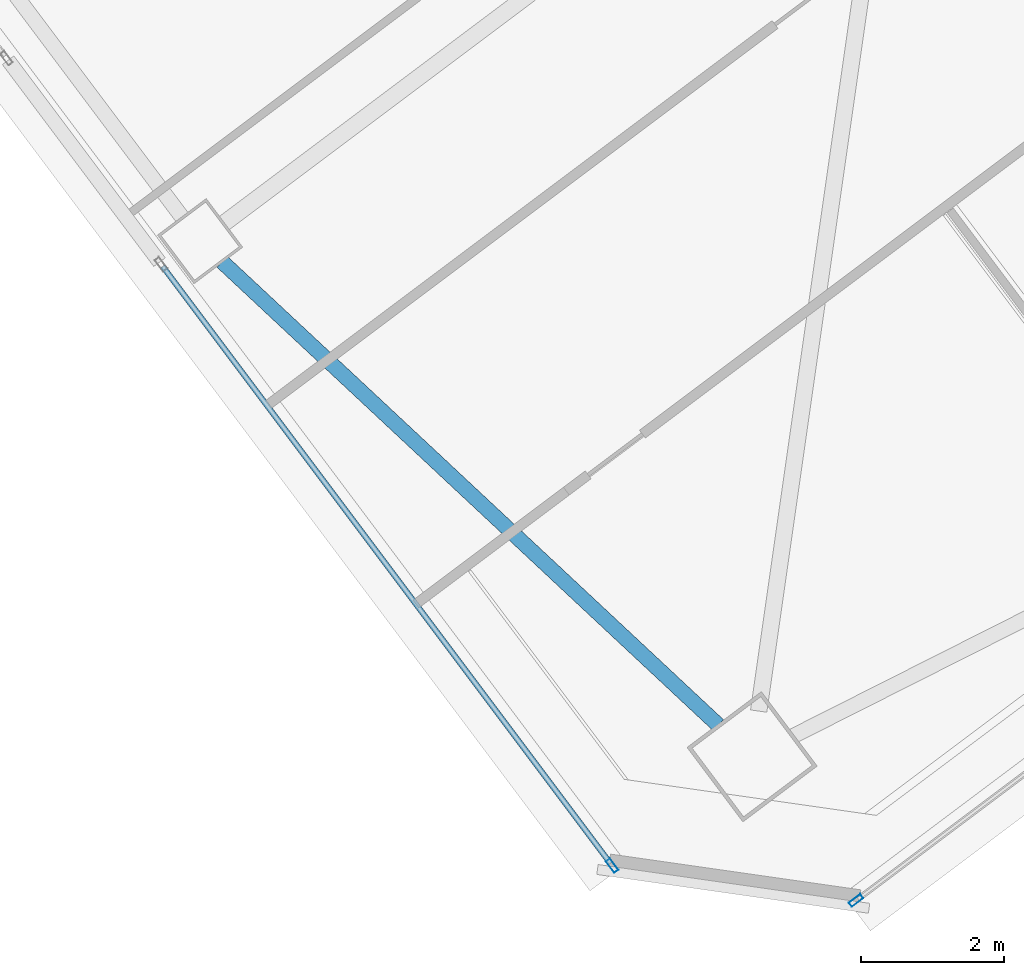
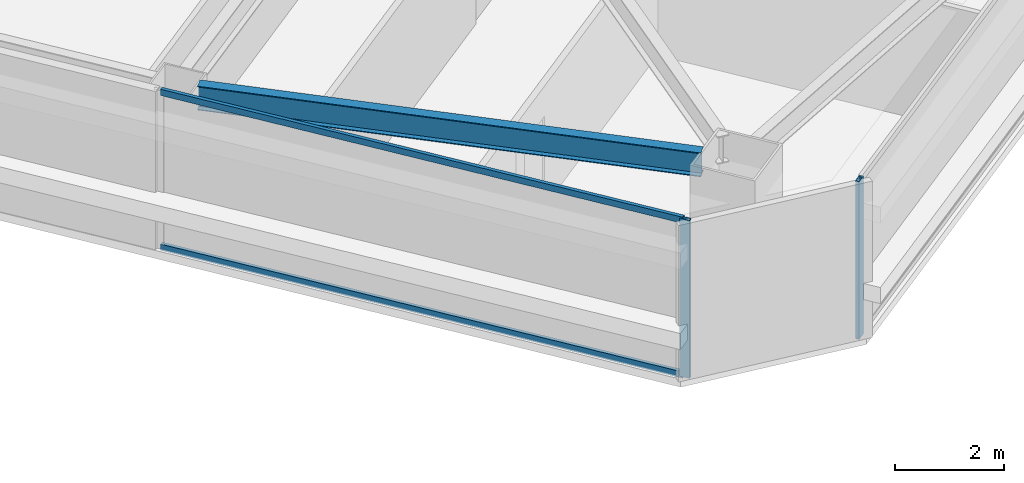
# One storey, part 18 of 42: 4 members, 1 beam, 2 elements without a shape of their own.
"""IFC4 building model written with IfcOpenShell, lengths in metres."""

from ifc_helpers import new_model, si_unit, direction, frame, origin, origin_2d, place, context, subcontext, project, spatial, hollow_rectangle, i_section, extrude, material, material_profile, profile_set, type_object, element, aggregate, save


model = new_model("IFC4")

# Units and contexts
model_context = context("Model", 3, precision=1e-05, world=origin(), true_north=direction((0.0, 1.0)))
body_context = subcontext(model_context, "Body", "Model", "MODEL_VIEW")
ifc_project = project(units=[si_unit("LENGTHUNIT", "METRE"), si_unit("AREAUNIT", "SQUARE_METRE"), si_unit("VOLUMEUNIT", "CUBIC_METRE"), si_unit("PLANEANGLEUNIT", "RADIAN"), si_unit("MASSUNIT", "GRAM", prefix="KILO")], contexts=[model_context])

# Site, building, storey
site_placement = place(None, origin())
site = spatial("IfcSite", under=ifc_project, at=site_placement, CompositionType="ELEMENT")
building_placement = place(site_placement, origin())
building = spatial("IfcBuilding", under=site, at=building_placement, Name="Tashvorn Skyway Center", CompositionType="ELEMENT")
storey_placement = place(building_placement, frame((0.0, 0.0, 121.5)))
storey = spatial("IfcBuildingStorey", under=building, at=storey_placement, Name="L32", CompositionType="ELEMENT", Elevation=121.5)

# Beam
ifc_material_1 = material(Name="Steel ASTM A992 Grade 50", Category="steel")
ifc_material_profile_1 = material_profile(ifc_material_1, i_section(OverallWidth=0.2109375, OverallDepth=0.5390625, WebThickness=0.01171875, FlangeThickness=0.018798828125, at=origin_2d()), Name="W21X73")
ifc_profile_set_1 = profile_set([ifc_material_profile_1], Name="Steel ASTM A992 Grade 50")
beam_type = type_object("IfcBeamType", Name="BM-SPANDREL-W21X73", PredefinedType="SPANDREL", material=ifc_profile_set_1)
beam_placement = place(storey_placement, frame((103.427001953125, 16.80322265625, 3.1005859375), z_axis=(0.730843250868, -0.682545341102, 0.0), x_axis=(0.682545341102, 0.730843250868, 0.0)))
element("IfcBeam", 1, at=beam_placement, inside=storey, type_object=beam_type, Name="Tower 2 L32 Spandrel Beam 12", PredefinedType="SPANDREL", context=body_context, shape_type="SweptSolid", body=[
    extrude(i_section(OverallWidth=0.2109375, OverallDepth=0.5390625, WebThickness=0.01171875, FlangeThickness=0.018798828125, at=origin_2d()), origin(), (0.0, 0.0, 1.0), 9.498046875),
])

# Curtain wall, member
ifc_material_2 = material(Name="Thermally broken bronze-anodized aluminium 6063-T6", Category="aluminium")
curtain_wall_type = type_object("IfcCurtainWallType", Name="CW-CW-Z3", PredefinedType="NOTDEFINED", material=ifc_material_2)
curtain_wall_1_placement = place(storey_placement, origin())
curtain_wall_1 = element("IfcCurtainWall", 2, at=curtain_wall_1_placement, inside=storey, type_object=curtain_wall_type, Name="Tower 2 L32 South Unitised Curtain Wall Glazing Group 3", PredefinedType="NOTDEFINED")
ifc_material_profile_2 = material_profile(ifc_material_2, hollow_rectangle(XDim=0.074951171875, YDim=0.199951171875, WallThickness=0.00439453125, at=origin_2d()), Name="ALU-MULL-75x200")
ifc_profile_set_2 = profile_set([ifc_material_profile_2], Name="Thermally broken bronze-anodized aluminium 6063-T6")
member_type_1 = type_object("IfcMemberType", Name="CWM-CW-Z3", PredefinedType="MULLION", material=ifc_profile_set_2)
member_1_placement = place(storey_placement, frame((112.2939453125, 7.87060546875, 0.0), z_axis=(0.0, 0.0, 1.0), x_axis=(0.600001511345, -0.799998866489, 0.0)))
member_1 = element("IfcMember", 3, at=member_1_placement, type_object=member_type_1, Name="CW-Z3 mullion 2", PredefinedType="MULLION", context=body_context, shape_type="SweptSolid", body=[
    extrude(hollow_rectangle(XDim=0.074951171875, YDim=0.199951171875, WallThickness=0.00439453125, at=origin_2d()), origin(), (0.0, 0.0, 1.0), 3.550048828125),
])
aggregate(curtain_wall_1, [member_1])

# Curtain wall, members
curtain_wall_2_placement = place(storey_placement, origin())
curtain_wall_2 = element("IfcCurtainWall", 4, at=curtain_wall_2_placement, inside=storey, type_object=curtain_wall_type, Name="Tower 2 L32 West Unitised Curtain Wall Glazing Group 1", PredefinedType="NOTDEFINED")
member_2_placement = place(storey_placement, frame((108.881591796875, 8.35791015625, 0.0), z_axis=(0.0, 0.0, 1.0), x_axis=(-0.799998866489, -0.600001511345, 0.0)))
member_2 = element("IfcMember", 5, at=member_2_placement, type_object=member_type_1, Name="CW-Z3 mullion 1", PredefinedType="MULLION", context=body_context, shape_type="SweptSolid", body=[
    extrude(hollow_rectangle(XDim=0.074951171875, YDim=0.199951171875, WallThickness=0.00439453125, at=origin_2d()), origin(), (0.0, 0.0, 1.0), 3.550048828125),
])
ifc_material_profile_3 = material_profile(ifc_material_2, hollow_rectangle(XDim=0.074951171875, YDim=0.139892578125, WallThickness=0.004150390625, at=origin_2d()), Name="ALU-TRAN-75x140")
ifc_profile_set_3 = profile_set([ifc_material_profile_3], Name="Thermally broken bronze-anodized aluminium 6063-T6")
member_type_2 = type_object("IfcMemberType", Name="CWT-CW-Z3", PredefinedType="USERDEFINED", material=ifc_profile_set_3)
member_3_placement = place(storey_placement, frame((108.85888671875, 8.387939453125, 0.03759765625), z_axis=(-0.599996257181, 0.800002807101, 0.0), x_axis=(-0.800002807101, -0.599996257181, 0.0)))
member_3 = element("IfcMember", 6, at=member_3_placement, type_object=member_type_2, Name="CW-Z3 transom 1.1", ObjectType="TRANSOM", PredefinedType="USERDEFINED", context=body_context, shape_type="SweptSolid", body=[
    extrude(hollow_rectangle(XDim=0.074951171875, YDim=0.139892578125, WallThickness=0.004150390625, at=origin_2d()), origin(), (0.0, 0.0, 1.0), 10.436767578125),
])
member_4_placement = place(storey_placement, frame((108.85888671875, 8.387939453125, 3.512451171875), z_axis=(-0.599996257181, 0.800002807101, 0.0), x_axis=(-0.800002807101, -0.599996257181, 0.0)))
member_4 = element("IfcMember", 7, at=member_4_placement, type_object=member_type_2, Name="CW-Z3 transom 1.2", ObjectType="TRANSOM", PredefinedType="USERDEFINED", context=body_context, shape_type="SweptSolid", body=[
    extrude(hollow_rectangle(XDim=0.074951171875, YDim=0.139892578125, WallThickness=0.004150390625, at=origin_2d()), origin(), (0.0, 0.0, 1.0), 10.436767578125),
])
aggregate(curtain_wall_2, [member_2, member_3, member_4])

save(model, "model.ifc")
